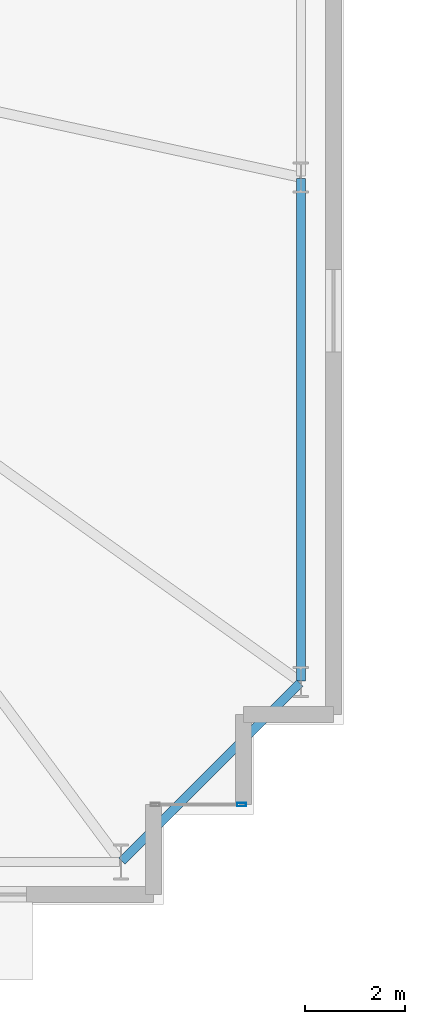
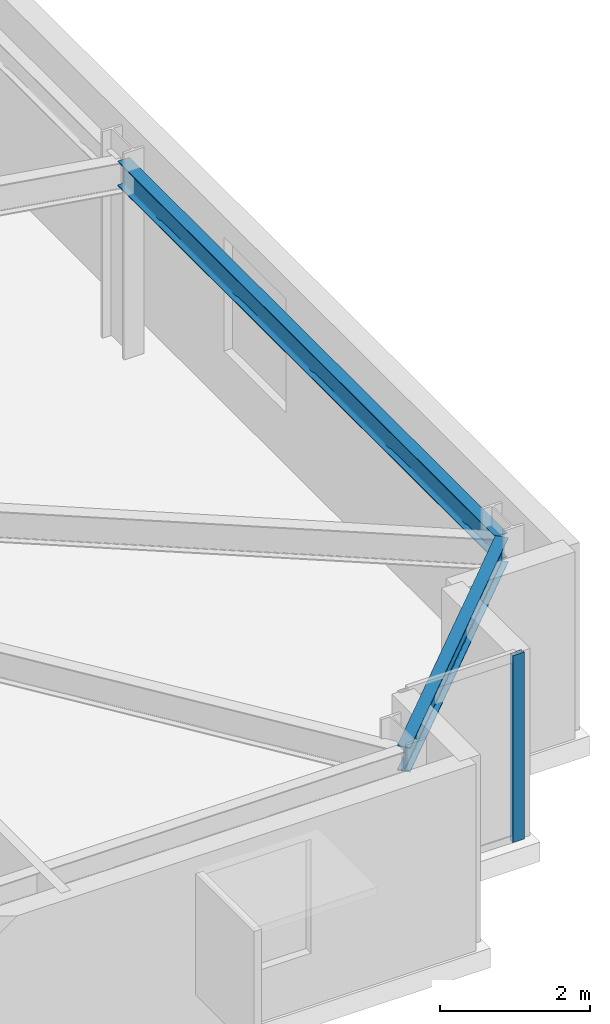
# One storey, part 10 of 20: 2 beams, 1 member, 1 element without a shape of its own.
"""IFC4 building model written with IfcOpenShell, lengths in metres."""

from ifc_helpers import new_model, si_unit, direction, frame, origin, origin_2d, place, context, subcontext, project, spatial, hollow_rectangle, i_section, extrude, material, layer, layer_set, material_profile, profile_set, type_object, element, aggregate, save


model = new_model("IFC4")

# Units and contexts
model_context = context("Model", 3, precision=1e-05, world=origin(), true_north=direction((0.0, 1.0)))
body_context = subcontext(model_context, "Body", "Model", "MODEL_VIEW")
ifc_project = project(units=[si_unit("LENGTHUNIT", "METRE"), si_unit("AREAUNIT", "SQUARE_METRE"), si_unit("VOLUMEUNIT", "CUBIC_METRE"), si_unit("PLANEANGLEUNIT", "RADIAN"), si_unit("MASSUNIT", "GRAM", prefix="KILO")], contexts=[model_context])

# Site, building, storey
site_placement = place(None, origin())
site = spatial("IfcSite", under=ifc_project, at=site_placement, CompositionType="ELEMENT")
building_placement = place(site_placement, origin())
building = spatial("IfcBuilding", under=site, at=building_placement, Name="Qobustan Lattice House", CompositionType="ELEMENT")
storey_placement = place(building_placement, frame((0.0, 0.0, 63.85009765625)))
storey = spatial("IfcBuildingStorey", under=building, at=storey_placement, Name="L17", CompositionType="ELEMENT", Elevation=63.85009765625)

# Beams
ifc_material_1 = material(Name="Steel S355", Category="steel")
ifc_material_profile_1 = material_profile(ifc_material_1, i_section(OverallWidth=0.179931640625, OverallDepth=0.39990234375, WebThickness=0.008544921875, FlangeThickness=0.013427734375, FilletRadius=0.02099609375, at=origin_2d()), Name="IPE400")
ifc_profile_set_1 = profile_set([ifc_material_profile_1], Name="Steel S355")
beam_type = type_object("IfcBeamType", Name="BM-SPD-IPE400", PredefinedType="SPANDREL", material=ifc_profile_set_1)
beam_1_placement = place(storey_placement, frame((28.567626953125, -18.732421875, 2.8349609375), z_axis=(0.707106781187, 0.707106781187, 0.0), x_axis=(-0.707106781187, 0.707106781187, 0.0)))
element("IfcBeam", 1, at=beam_1_placement, inside=storey, type_object=beam_type, Name="L17 perimeter spandrel S7-E1", PredefinedType="SPANDREL", context=body_context, shape_type="SweptSolid", body=[
    extrude(i_section(OverallWidth=0.179931640625, OverallDepth=0.39990234375, WebThickness=0.008544921875, FlangeThickness=0.013427734375, FilletRadius=0.02099609375, at=origin_2d()), origin(), (0.0, 0.0, 1.0), 5.041259765625),
])
beam_2_placement = place(storey_placement, frame((32.14990234375, -15.125, 2.8349609375), z_axis=(0.0, 1.0, 0.0), x_axis=(-1.0, 0.0, 0.0)))
element("IfcBeam", 2, at=beam_2_placement, inside=storey, type_object=beam_type, Name="L17 perimeter spandrel E1-E2", PredefinedType="SPANDREL", context=body_context, shape_type="SweptSolid", body=[
    extrude(i_section(OverallWidth=0.179931640625, OverallDepth=0.39990234375, WebThickness=0.008544921875, FlangeThickness=0.013427734375, FilletRadius=0.02099609375, at=origin_2d()), origin(), (0.0, 0.0, 1.0), 10.050048828125),
])

# Curtain wall, member
ifc_material_2 = material(Name="Anodised aluminium and low-E glazing", Category="aluminium")
ifc_layer = layer(ifc_material_2, 0.219970703125)
ifc_layer_set = layer_set([ifc_layer], Name="Anodised aluminium and low-E glazing")
curtain_wall_type = type_object("IfcCurtainWallType", Name="CW-FAC-01", PredefinedType="USERDEFINED", material=ifc_layer_set)
curtain_wall_placement = place(storey_placement, origin())
curtain_wall = element("IfcCurtainWall", 3, at=curtain_wall_placement, inside=storey, type_object=curtain_wall_type, Name="L17 serrated corner faceted glazing 18", ObjectType="CURTAIN WALL", PredefinedType="USERDEFINED")
ifc_material_3 = material(Name="Anodised aluminium EN AW-6063 T6", Category="aluminium")
ifc_material_profile_2 = material_profile(ifc_material_3, hollow_rectangle(XDim=0.070068359375, YDim=0.179931640625, WallThickness=0.00439453125, at=origin_2d()), Name="CWM-180x70")
ifc_profile_set_2 = profile_set([ifc_material_profile_2], Name="Anodised aluminium EN AW-6063 T6")
member_type = type_object("IfcMemberType", Name="CWM-STD-180", PredefinedType="MULLION", material=ifc_profile_set_2)
member_placement = place(storey_placement, frame((30.965087890625, -17.60009765625, 0.0), z_axis=(0.0, 0.0, 1.0), x_axis=(0.0, -1.0, 0.0)))
member = element("IfcMember", 4, at=member_placement, type_object=member_type, Name="CW-F1 mullion 1", PredefinedType="MULLION", context=body_context, shape_type="SweptSolid", body=[
    extrude(hollow_rectangle(XDim=0.070068359375, YDim=0.179931640625, WallThickness=0.00439453125, at=origin_2d()), origin(), (0.0, 0.0, 1.0), 3.034912109375),
])
aggregate(curtain_wall, [member])

save(model, "model.ifc")
